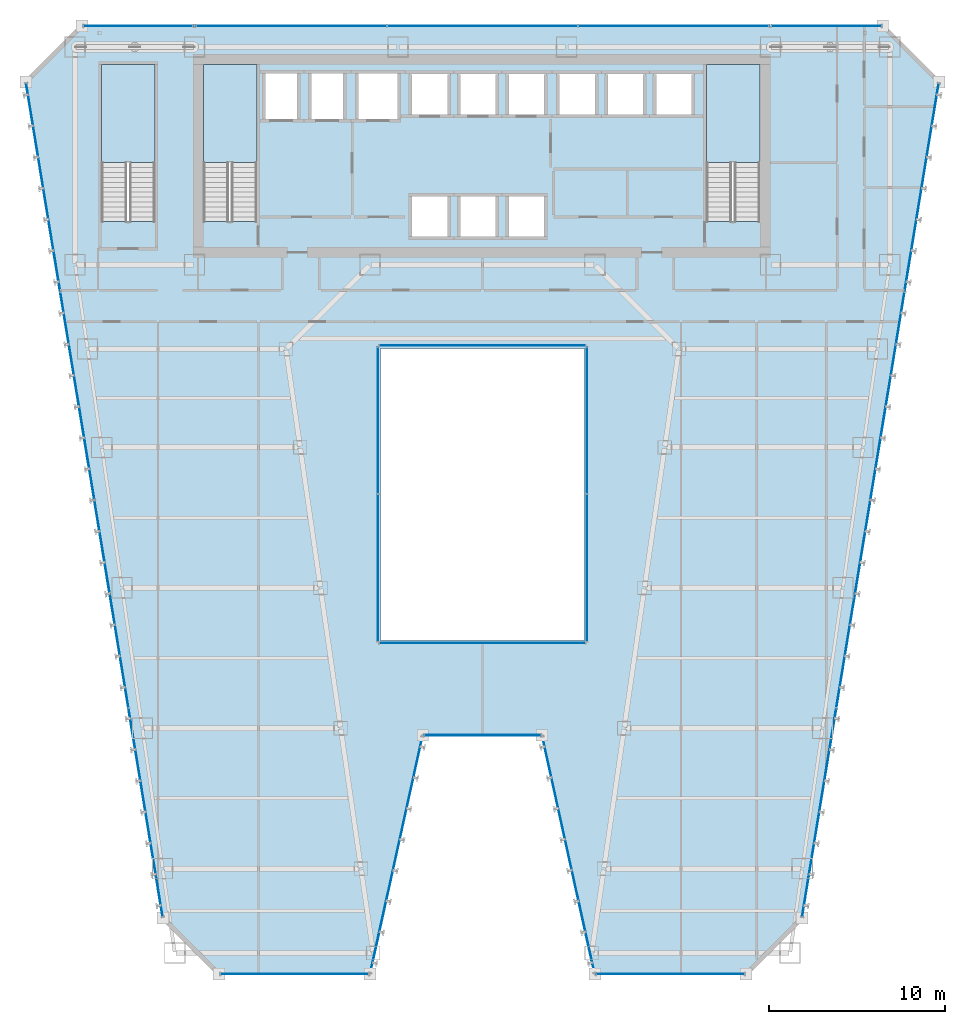
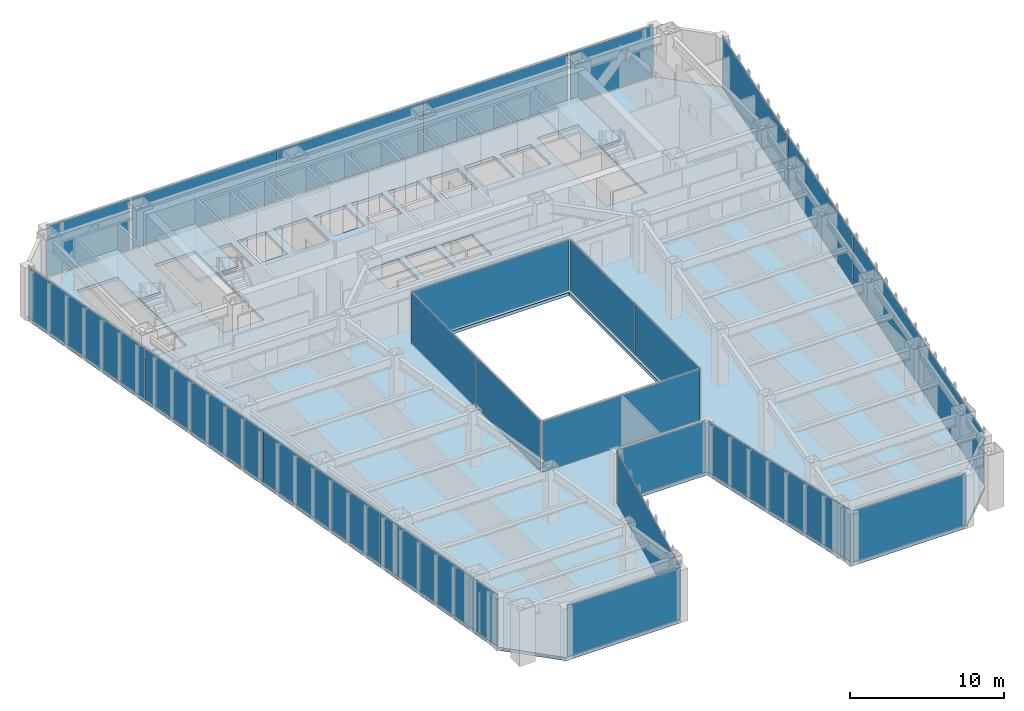
# One storey, part 34 of 47: 24 plates, 4 slabs, 17 elements without a shape of their own.
"""IFC4 building model written with IfcOpenShell, lengths in metres."""

from ifc_helpers import new_model, si_unit, direction, frame, origin, origin_2d, place, context, subcontext, project, spatial, polyline, rectangle, outline, extrude, material, layer, layer_set, type_object, element, aggregate, save


model = new_model("IFC4")

# Units and contexts
model_context = context("Model", 3, precision=1e-05, world=origin(), true_north=direction((0.0, 1.0)))
body_context = subcontext(model_context, "Body", "Model", "MODEL_VIEW")
ifc_project = project(units=[si_unit("LENGTHUNIT", "METRE"), si_unit("AREAUNIT", "SQUARE_METRE"), si_unit("VOLUMEUNIT", "CUBIC_METRE"), si_unit("PLANEANGLEUNIT", "RADIAN"), si_unit("MASSUNIT", "GRAM", prefix="KILO")], contexts=[model_context])

# Site, building, storey
site_placement = place(None, origin())
site = spatial("IfcSite", under=ifc_project, at=site_placement, CompositionType="ELEMENT")
building_placement = place(site_placement, origin())
building = spatial("IfcBuilding", under=site, at=building_placement, Name="Saevonmaru Cultural Tower", CompositionType="ELEMENT")
storey_placement = place(building_placement, frame((0.0, 0.0, 92.800048828125)))
storey = spatial("IfcBuildingStorey", under=building, at=storey_placement, Name="L19", CompositionType="ELEMENT", Elevation=92.800048828125)

# Curtain wall, plate
ifc_material_1 = material(Name="Satin Bronze Anodised Aluminium", Category="aluminium")
curtain_wall_type_1 = type_object("IfcCurtainWallType", Name="CW-ATR-GLZ", PredefinedType="NOTDEFINED", material=ifc_material_1)
curtain_wall_1_placement = place(storey_placement, origin())
curtain_wall_1 = element("IfcCurtainWall", 1, at=curtain_wall_1_placement, inside=storey, type_object=curtain_wall_type_1, Name="L19 Vertical Atrium Glazed Smoke Screen 1", PredefinedType="NOTDEFINED")
ifc_material_2 = material(Name="Fire-Rated Laminated Atrium Glass", Category="glass")
ifc_layer_1 = layer(ifc_material_2, 0.031982421875, Name="Fire-Rated Laminated Atrium Glass")
ifc_layer_set_1 = layer_set([ifc_layer_1], Name="Fire-Rated Laminated Atrium Glass")
plate_type_1 = type_object("IfcPlateType", Name="PN-GLZ-ATR-INT", PredefinedType="CURTAIN_PANEL", material=ifc_layer_set_1)
plate_1_placement = place(storey_placement, frame((30.0, 20.85009765625, 0.06689453125), z_axis=(0.0, 0.0, 1.0), x_axis=(1.0, 0.0, 0.0)))
plate_1 = element("IfcPlate", 2, at=plate_1_placement, type_object=plate_type_1, Name="CW-ATR-L19-1 panel 1.1", PredefinedType="CURTAIN_PANEL", context=body_context, shape_type="SweptSolid", body=[
    extrude(rectangle(XDim=11.7109375, YDim=0.031982421875, at=origin_2d()), origin(), (0.0, 0.0, 1.0), 4.01611328125),
])
aggregate(curtain_wall_1, [plate_1])

# Curtain wall, plates
curtain_wall_2_placement = place(storey_placement, origin())
curtain_wall_2 = element("IfcCurtainWall", 3, at=curtain_wall_2_placement, inside=storey, type_object=curtain_wall_type_1, Name="L19 Vertical Atrium Glazed Smoke Screen 2", PredefinedType="NOTDEFINED")
plate_2_placement = place(storey_placement, frame((35.949951171875, 25.114990234375, 0.06689453125), z_axis=(0.0, 0.0, 1.0), x_axis=(0.0, 1.0, 0.0)))
plate_2 = element("IfcPlate", 4, at=plate_2_placement, type_object=plate_type_1, Name="CW-ATR-L19-2 panel 1.1", PredefinedType="CURTAIN_PANEL", context=body_context, shape_type="SweptSolid", body=[
    extrude(rectangle(XDim=8.341064453125, YDim=0.031982421875, at=origin_2d()), origin(), (0.0, 0.0, 1.0), 4.01611328125),
])
plate_3_placement = place(storey_placement, frame((35.949951171875, 33.52490234375, 0.06689453125), z_axis=(0.0, 0.0, 1.0), x_axis=(0.0, 1.0, 0.0)))
plate_3 = element("IfcPlate", 5, at=plate_3_placement, type_object=plate_type_1, Name="CW-ATR-L19-2 panel 2.1", PredefinedType="CURTAIN_PANEL", context=body_context, shape_type="SweptSolid", body=[
    extrude(rectangle(XDim=8.341064453125, YDim=0.031982421875, at=origin_2d()), origin(), (0.0, 0.0, 1.0), 4.01611328125),
])
aggregate(curtain_wall_2, [plate_2, plate_3])

# Curtain wall, plate
curtain_wall_3_placement = place(storey_placement, origin())
curtain_wall_3 = element("IfcCurtainWall", 6, at=curtain_wall_3_placement, inside=storey, type_object=curtain_wall_type_1, Name="L19 Vertical Atrium Glazed Smoke Screen 3", PredefinedType="NOTDEFINED")
plate_4_placement = place(storey_placement, frame((30.0, 37.7900390625, 0.06689453125), z_axis=(0.0, 0.0, 1.0), x_axis=(-1.0, 0.0, 0.0)))
plate_4 = element("IfcPlate", 7, at=plate_4_placement, type_object=plate_type_1, Name="CW-ATR-L19-3 panel 1.1", PredefinedType="CURTAIN_PANEL", context=body_context, shape_type="SweptSolid", body=[
    extrude(rectangle(XDim=11.7109375, YDim=0.031982421875, at=origin_2d()), origin(), (0.0, 0.0, 1.0), 4.01611328125),
])
aggregate(curtain_wall_3, [plate_4])

# Curtain wall, plates
curtain_wall_4_placement = place(storey_placement, origin())
curtain_wall_4 = element("IfcCurtainWall", 8, at=curtain_wall_4_placement, inside=storey, type_object=curtain_wall_type_1, Name="L19 Vertical Atrium Glazed Smoke Screen 4", PredefinedType="NOTDEFINED")
plate_5_placement = place(storey_placement, frame((24.050048828125, 33.52490234375, 0.06689453125), z_axis=(0.0, 0.0, 1.0), x_axis=(0.0, -1.0, 0.0)))
plate_5 = element("IfcPlate", 9, at=plate_5_placement, type_object=plate_type_1, Name="CW-ATR-L19-4 panel 1.1", PredefinedType="CURTAIN_PANEL", context=body_context, shape_type="SweptSolid", body=[
    extrude(rectangle(XDim=8.341064453125, YDim=0.031982421875, at=origin_2d()), origin(), (0.0, 0.0, 1.0), 4.01611328125),
])
plate_6_placement = place(storey_placement, frame((24.050048828125, 25.114990234375, 0.06689453125), z_axis=(0.0, 0.0, 1.0), x_axis=(0.0, -1.0, 0.0)))
plate_6 = element("IfcPlate", 10, at=plate_6_placement, type_object=plate_type_1, Name="CW-ATR-L19-4 panel 2.1", PredefinedType="CURTAIN_PANEL", context=body_context, shape_type="SweptSolid", body=[
    extrude(rectangle(XDim=8.341064453125, YDim=0.031982421875, at=origin_2d()), origin(), (0.0, 0.0, 1.0), 4.01611328125),
])
aggregate(curtain_wall_4, [plate_5, plate_6])

# Curtain wall, plate
curtain_wall_type_2 = type_object("IfcCurtainWallType", Name="CW-TYP-A", PredefinedType="NOTDEFINED", material=ifc_material_1)
curtain_wall_5_placement = place(storey_placement, origin())
curtain_wall_5 = element("IfcCurtainWall", 11, at=curtain_wall_5_placement, inside=storey, type_object=curtain_wall_type_2, Name="L19 Unitised Curtain Wall E2", PredefinedType="NOTDEFINED")
ifc_material_3 = material(Name="Triple Silver Low-E Insulating Glass", Category="glass")
ifc_layer_2 = layer(ifc_material_3, 0.035888671875, Name="Triple Silver Low-E Insulating Glass")
ifc_layer_set_2 = layer_set([ifc_layer_2], Name="Triple Silver Low-E Insulating Glass")
plate_type_2 = type_object("IfcPlateType", Name="PN-GLZ-IGU", PredefinedType="CURTAIN_PANEL", material=ifc_layer_set_2)
plate_7_placement = place(storey_placement, frame((19.300048828125, 2.0, 0.06689453125), z_axis=(0.0, 0.0, 1.0), x_axis=(1.0, 0.0, 0.0)))
plate_7 = element("IfcPlate", 12, at=plate_7_placement, type_object=plate_type_2, Name="CW-TW-L19-E2 panel 1.1", PredefinedType="CURTAIN_PANEL", context=body_context, shape_type="SweptSolid", body=[
    extrude(rectangle(XDim=8.410888671875, YDim=0.035888671875, at=origin_2d()), origin(), (0.0, 0.0, 1.0), 4.01611328125),
])
aggregate(curtain_wall_5, [plate_7])

curtain_wall_6_placement = place(storey_placement, origin())
curtain_wall_6 = element("IfcCurtainWall", 13, at=curtain_wall_6_placement, inside=storey, type_object=curtain_wall_type_2, Name="L19 Unitised Curtain Wall E3", PredefinedType="NOTDEFINED")
plate_8_placement = place(storey_placement, frame((25.10009765625, 8.800048828125, 0.06689453125), z_axis=(0.0, 0.0, 1.0), x_axis=(0.215413319953, 0.976522965212, 0.0)))
plate_8 = element("IfcPlate", 14, at=plate_8_placement, type_object=plate_type_2, Name="CW-TW-L19-E3 panel 1.1", PredefinedType="CURTAIN_PANEL", context=body_context, shape_type="SweptSolid", body=[
    extrude(rectangle(XDim=13.738037109375, YDim=0.035888671875, at=origin_2d()), origin(), (0.0, 0.0, 1.0), 4.01611328125),
])
aggregate(curtain_wall_6, [plate_8])

curtain_wall_7_placement = place(storey_placement, origin())
curtain_wall_7 = element("IfcCurtainWall", 15, at=curtain_wall_7_placement, inside=storey, type_object=curtain_wall_type_2, Name="L19 Unitised Curtain Wall E4", PredefinedType="NOTDEFINED")
plate_9_placement = place(storey_placement, frame((30.0, 15.60009765625, 0.06689453125), z_axis=(0.0, 0.0, 1.0), x_axis=(1.0, 0.0, 0.0)))
plate_9 = element("IfcPlate", 16, at=plate_9_placement, type_object=plate_type_2, Name="CW-TW-L19-E4 panel 1.1", PredefinedType="CURTAIN_PANEL", context=body_context, shape_type="SweptSolid", body=[
    extrude(rectangle(XDim=6.611083984375, YDim=0.035888671875, at=origin_2d()), origin(), (0.0, 0.0, 1.0), 4.01611328125),
])
aggregate(curtain_wall_7, [plate_9])

curtain_wall_8_placement = place(storey_placement, origin())
curtain_wall_8 = element("IfcCurtainWall", 17, at=curtain_wall_8_placement, inside=storey, type_object=curtain_wall_type_2, Name="L19 Unitised Curtain Wall E5", PredefinedType="NOTDEFINED")
plate_10_placement = place(storey_placement, frame((34.89990234375, 8.800048828125, 0.06689453125), z_axis=(0.0, 0.0, 1.0), x_axis=(0.215413319953, -0.976522965212, 0.0)))
plate_10 = element("IfcPlate", 18, at=plate_10_placement, type_object=plate_type_2, Name="CW-TW-L19-E5 panel 1.1", PredefinedType="CURTAIN_PANEL", context=body_context, shape_type="SweptSolid", body=[
    extrude(rectangle(XDim=13.738037109375, YDim=0.035888671875, at=origin_2d()), origin(), (0.0, 0.0, 1.0), 4.01611328125),
])
aggregate(curtain_wall_8, [plate_10])

curtain_wall_9_placement = place(storey_placement, origin())
curtain_wall_9 = element("IfcCurtainWall", 19, at=curtain_wall_9_placement, inside=storey, type_object=curtain_wall_type_2, Name="L19 Unitised Curtain Wall E6", PredefinedType="NOTDEFINED")
plate_11_placement = place(storey_placement, frame((40.699951171875, 2.0, 0.06689453125), z_axis=(0.0, 0.0, 1.0), x_axis=(1.0, 0.0, 0.0)))
plate_11 = element("IfcPlate", 20, at=plate_11_placement, type_object=plate_type_2, Name="CW-TW-L19-E6 panel 1.1", PredefinedType="CURTAIN_PANEL", context=body_context, shape_type="SweptSolid", body=[
    extrude(rectangle(XDim=8.410888671875, YDim=0.035888671875, at=origin_2d()), origin(), (0.0, 0.0, 1.0), 4.01611328125),
])
aggregate(curtain_wall_9, [plate_11])

# Curtain wall, plates
curtain_wall_10_placement = place(storey_placement, origin())
curtain_wall_10 = element("IfcCurtainWall", 21, at=curtain_wall_10_placement, inside=storey, type_object=curtain_wall_type_2, Name="L19 Unitised Curtain Wall E8", PredefinedType="NOTDEFINED")
plate_12_placement = place(storey_placement, frame((49.182373046875, 11.1943359375, 0.06689453125), z_axis=(0.0, 0.0, 1.0), x_axis=(0.161708868641, 0.986838508472, 0.0)))
plate_12 = element("IfcPlate", 22, at=plate_12_placement, type_object=plate_type_2, Name="CW-TW-L19-E8 panel 1.1", PredefinedType="CURTAIN_PANEL", context=body_context, shape_type="SweptSolid", body=[
    extrude(rectangle(XDim=11.959716796875, YDim=0.035888671875, at=origin_2d()), origin(), (0.0, 0.0, 1.0), 4.01611328125),
])
plate_13_placement = place(storey_placement, frame((51.12744140625, 23.064697265625, 0.06689453125), z_axis=(0.0, 0.0, 1.0), x_axis=(0.161708868641, 0.986838508472, 0.0)))
plate_13 = element("IfcPlate", 23, at=plate_13_placement, type_object=plate_type_2, Name="CW-TW-L19-E8 panel 2.1", PredefinedType="CURTAIN_PANEL", context=body_context, shape_type="SweptSolid", body=[
    extrude(rectangle(XDim=11.959716796875, YDim=0.035888671875, at=origin_2d()), origin(), (0.0, 0.0, 1.0), 4.01611328125),
])
plate_14_placement = place(storey_placement, frame((53.072509765625, 34.935302734375, 0.06689453125), z_axis=(0.0, 0.0, 1.0), x_axis=(0.161708868641, 0.986838508472, 0.0)))
plate_14 = element("IfcPlate", 24, at=plate_14_placement, type_object=plate_type_2, Name="CW-TW-L19-E8 panel 3.1", PredefinedType="CURTAIN_PANEL", context=body_context, shape_type="SweptSolid", body=[
    extrude(rectangle(XDim=11.959716796875, YDim=0.035888671875, at=origin_2d()), origin(), (0.0, 0.0, 1.0), 4.01611328125),
])
plate_15_placement = place(storey_placement, frame((55.017822265625, 46.8056640625, 0.06689453125), z_axis=(0.0, 0.0, 1.0), x_axis=(0.161708868641, 0.986838508472, 0.0)))
plate_15 = element("IfcPlate", 25, at=plate_15_placement, type_object=plate_type_2, Name="CW-TW-L19-E8 panel 4.1", PredefinedType="CURTAIN_PANEL", context=body_context, shape_type="SweptSolid", body=[
    extrude(rectangle(XDim=11.959716796875, YDim=0.035888671875, at=origin_2d()), origin(), (0.0, 0.0, 1.0), 4.01611328125),
])
aggregate(curtain_wall_10, [plate_12, plate_13, plate_14, plate_15])

curtain_wall_11_placement = place(storey_placement, origin())
curtain_wall_11 = element("IfcCurtainWall", 26, at=curtain_wall_11_placement, inside=storey, type_object=curtain_wall_type_2, Name="L19 North Spine Unitised Curtain Wall E10B", PredefinedType="NOTDEFINED")
plate_16_placement = place(storey_placement, frame((40.893310546875, 56.0, 0.06689453125), z_axis=(0.0, 0.0, 1.0), x_axis=(-1.0, 0.0, 0.0)))
plate_16 = element("IfcPlate", 27, at=plate_16_placement, type_object=plate_type_2, Name="CW-TW-L19-E10B panel 1.1", PredefinedType="CURTAIN_PANEL", context=body_context, shape_type="SweptSolid", body=[
    extrude(rectangle(XDim=10.82421875, YDim=0.035888671875, at=origin_2d()), origin(), (0.0, 0.0, 1.0), 4.01611328125),
])
plate_17_placement = place(storey_placement, frame((30.0, 56.0, 0.06689453125), z_axis=(0.0, 0.0, 1.0), x_axis=(-1.0, 0.0, 0.0)))
plate_17 = element("IfcPlate", 28, at=plate_17_placement, type_object=plate_type_2, Name="CW-TW-L19-E10B panel 2.1", PredefinedType="CURTAIN_PANEL", context=body_context, shape_type="SweptSolid", body=[
    extrude(rectangle(XDim=10.82421875, YDim=0.035888671875, at=origin_2d()), origin(), (0.0, 0.0, 1.0), 4.01611328125),
])
plate_18_placement = place(storey_placement, frame((19.106689453125, 56.0, 0.06689453125), z_axis=(0.0, 0.0, 1.0), x_axis=(-1.0, 0.0, 0.0)))
plate_18 = element("IfcPlate", 29, at=plate_18_placement, type_object=plate_type_2, Name="CW-TW-L19-E10B panel 3.1", PredefinedType="CURTAIN_PANEL", context=body_context, shape_type="SweptSolid", body=[
    extrude(rectangle(XDim=10.82421875, YDim=0.035888671875, at=origin_2d()), origin(), (0.0, 0.0, 1.0), 4.01611328125),
])
aggregate(curtain_wall_11, [plate_16, plate_17, plate_18])

curtain_wall_12_placement = place(storey_placement, origin())
curtain_wall_12 = element("IfcCurtainWall", 30, at=curtain_wall_12_placement, inside=storey, type_object=curtain_wall_type_2, Name="L19 Unitised Curtain Wall E12", PredefinedType="NOTDEFINED")
plate_19_placement = place(storey_placement, frame((4.982177734375, 46.8056640625, 0.06689453125), z_axis=(0.0, 0.0, 1.0), x_axis=(0.161708868641, -0.986838508472, 0.0)))
plate_19 = element("IfcPlate", 31, at=plate_19_placement, type_object=plate_type_2, Name="CW-TW-L19-E12 panel 1.1", PredefinedType="CURTAIN_PANEL", context=body_context, shape_type="SweptSolid", body=[
    extrude(rectangle(XDim=11.959716796875, YDim=0.035888671875, at=origin_2d()), origin(), (0.0, 0.0, 1.0), 4.01611328125),
])
plate_20_placement = place(storey_placement, frame((6.927490234375, 34.935302734375, 0.06689453125), z_axis=(0.0, 0.0, 1.0), x_axis=(0.161708868641, -0.986838508472, 0.0)))
plate_20 = element("IfcPlate", 32, at=plate_20_placement, type_object=plate_type_2, Name="CW-TW-L19-E12 panel 2.1", PredefinedType="CURTAIN_PANEL", context=body_context, shape_type="SweptSolid", body=[
    extrude(rectangle(XDim=11.959716796875, YDim=0.035888671875, at=origin_2d()), origin(), (0.0, 0.0, 1.0), 4.01611328125),
])
plate_21_placement = place(storey_placement, frame((8.87255859375, 23.064697265625, 0.06689453125), z_axis=(0.0, 0.0, 1.0), x_axis=(0.161708868641, -0.986838508472, 0.0)))
plate_21 = element("IfcPlate", 33, at=plate_21_placement, type_object=plate_type_2, Name="CW-TW-L19-E12 panel 3.1", PredefinedType="CURTAIN_PANEL", context=body_context, shape_type="SweptSolid", body=[
    extrude(rectangle(XDim=11.959716796875, YDim=0.035888671875, at=origin_2d()), origin(), (0.0, 0.0, 1.0), 4.01611328125),
])
plate_22_placement = place(storey_placement, frame((10.817626953125, 11.1943359375, 0.06689453125), z_axis=(0.0, 0.0, 1.0), x_axis=(0.161708868641, -0.986838508472, 0.0)))
plate_22 = element("IfcPlate", 34, at=plate_22_placement, type_object=plate_type_2, Name="CW-TW-L19-E12 panel 4.1", PredefinedType="CURTAIN_PANEL", context=body_context, shape_type="SweptSolid", body=[
    extrude(rectangle(XDim=11.959716796875, YDim=0.035888671875, at=origin_2d()), origin(), (0.0, 0.0, 1.0), 4.01611328125),
])
aggregate(curtain_wall_12, [plate_19, plate_20, plate_21, plate_22])

# Curtain wall, plate
curtain_wall_13_placement = place(storey_placement, origin())
curtain_wall_13 = element("IfcCurtainWall", 35, at=curtain_wall_13_placement, inside=storey, type_object=curtain_wall_type_2, Name="L19 East Braced Bay Spandrel Curtain Wall E10A", PredefinedType="NOTDEFINED")
ifc_material_4 = material(Name="Insulated Satin Bronze Aluminium Spandrel Panel", Category="aluminium")
ifc_layer_3 = layer(ifc_material_4, 0.0400390625, Name="Insulated Satin Bronze Aluminium Spandrel Panel")
ifc_layer_set_3 = layer_set([ifc_layer_3], Name="Insulated Satin Bronze Aluminium Spandrel Panel")
plate_type_3 = type_object("IfcPlateType", Name="PN-SPANDREL-BRONZE", PredefinedType="CURTAIN_PANEL", material=ifc_layer_set_3)
plate_23_placement = place(storey_placement, frame((49.60009765625, 56.0, 0.06689453125), z_axis=(0.0, 0.0, 1.0), x_axis=(-1.0, 0.0, 0.0)))
plate_23 = element("IfcPlate", 36, at=plate_23_placement, type_object=plate_type_3, Name="CW-TW-L19-E10A panel 1.1", PredefinedType="CURTAIN_PANEL", context=body_context, shape_type="SweptSolid", body=[
    extrude(rectangle(XDim=6.2109375, YDim=0.035888671875, at=origin_2d()), origin(), (0.0, 0.0, 1.0), 4.01611328125),
])
aggregate(curtain_wall_13, [plate_23])

curtain_wall_14_placement = place(storey_placement, origin())
curtain_wall_14 = element("IfcCurtainWall", 37, at=curtain_wall_14_placement, inside=storey, type_object=curtain_wall_type_2, Name="L19 West Braced Bay Spandrel Curtain Wall E10C", PredefinedType="NOTDEFINED")
plate_24_placement = place(storey_placement, frame((10.39990234375, 56.0, 0.06689453125), z_axis=(0.0, 0.0, 1.0), x_axis=(-1.0, 0.0, 0.0)))
plate_24 = element("IfcPlate", 38, at=plate_24_placement, type_object=plate_type_3, Name="CW-TW-L19-E10C panel 1.1", PredefinedType="CURTAIN_PANEL", context=body_context, shape_type="SweptSolid", body=[
    extrude(rectangle(XDim=6.2109375, YDim=0.035888671875, at=origin_2d()), origin(), (0.0, 0.0, 1.0), 4.01611328125),
])
aggregate(curtain_wall_14, [plate_24])

# Slab
ifc_material_5 = material(Name="Concrete C40/50", Category="concrete")
ifc_layer_4 = layer(ifc_material_5, 0.25, Name="Concrete C40/50")
ifc_layer_set_4 = layer_set([ifc_layer_4], Name="Concrete C40/50")
slab_type_1 = type_object("IfcSlabType", Name="SL-FLR-250", PredefinedType="FLOOR", material=ifc_layer_set_4)
slab_1_placement = place(storey_placement, frame((0.0, 0.0, -0.25)))
element("IfcSlab", 39, at=slab_1_placement, inside=storey, type_object=slab_type_1, Name="L19 Tower Structural Floor Slab", PredefinedType="FLOOR", context=body_context, shape_type="SweptSolid", body=[
    extrude(outline(polyline([(11.800048828125, 5.199951171875), (15.0, 2.0), (23.60009765625, 2.0), (26.60009765625, 15.60009765625), (33.39990234375, 15.60009765625), (36.39990234375, 2.0), (45.0, 2.0), (48.199951171875, 5.199951171875), (56.0, 52.800048828125), (52.800048828125, 56.0), (7.199951171875, 56.0), (4.0, 52.800048828125), (11.800048828125, 5.199951171875)]), holes=[polyline([(45.800048828125, 44.875), (42.75, 44.875), (42.75, 53.800048828125), (45.800048828125, 53.800048828125), (45.800048828125, 44.875)]), polyline([(39.75, 50.800048828125), (39.75, 53.39990234375), (42.050048828125, 53.39990234375), (42.050048828125, 50.800048828125), (39.75, 50.800048828125)]), polyline([(37.0, 50.800048828125), (37.0, 53.39990234375), (39.300048828125, 53.39990234375), (39.300048828125, 50.800048828125), (37.0, 50.800048828125)]), polyline([(34.25, 50.800048828125), (34.25, 53.39990234375), (36.550048828125, 53.39990234375), (36.550048828125, 50.800048828125), (34.25, 50.800048828125)]), polyline([(24.199951171875, 21.0), (24.199951171875, 37.639892578125), (35.800048828125, 37.639892578125), (35.800048828125, 21.0), (24.199951171875, 21.0)]), polyline([(31.35009765625, 50.800048828125), (31.35009765625, 53.39990234375), (33.64990234375, 53.39990234375), (33.64990234375, 50.800048828125), (31.35009765625, 50.800048828125)]), polyline([(31.35009765625, 43.85009765625), (31.35009765625, 46.449951171875), (33.64990234375, 46.449951171875), (33.64990234375, 43.85009765625), (31.35009765625, 43.85009765625)]), polyline([(28.60009765625, 43.85009765625), (28.60009765625, 46.449951171875), (30.89990234375, 46.449951171875), (30.89990234375, 43.85009765625), (28.60009765625, 43.85009765625)]), polyline([(28.60009765625, 50.800048828125), (28.60009765625, 53.39990234375), (30.89990234375, 53.39990234375), (30.89990234375, 50.800048828125), (28.60009765625, 50.800048828125)]), polyline([(25.85009765625, 50.800048828125), (25.85009765625, 53.39990234375), (28.14990234375, 53.39990234375), (28.14990234375, 50.800048828125), (25.85009765625, 50.800048828125)]), polyline([(25.85009765625, 43.85009765625), (25.85009765625, 46.449951171875), (28.14990234375, 46.449951171875), (28.14990234375, 43.85009765625), (25.85009765625, 43.85009765625)]), polyline([(22.800048828125, 50.550048828125), (22.800048828125, 53.449951171875), (25.300048828125, 53.449951171875), (25.300048828125, 50.550048828125), (22.800048828125, 50.550048828125)]), polyline([(20.10009765625, 50.550048828125), (20.10009765625, 53.449951171875), (22.199951171875, 53.449951171875), (22.199951171875, 50.550048828125), (20.10009765625, 50.550048828125)]), polyline([(17.5, 50.550048828125), (17.5, 53.449951171875), (19.60009765625, 53.449951171875), (19.60009765625, 50.550048828125), (17.5, 50.550048828125)]), polyline([(17.14990234375, 44.875), (14.10009765625, 44.875), (14.10009765625, 53.800048828125), (17.14990234375, 53.800048828125), (17.14990234375, 44.875)]), polyline([(11.35009765625, 44.875), (8.300048828125, 44.875), (8.300048828125, 53.800048828125), (11.35009765625, 53.800048828125), (11.35009765625, 44.875)])]), origin(), (0.0, 0.0, 1.0), 0.25),
])

# Stair, slab
stair_type = type_object("IfcStairType", Name="STR-DOGLEG-RC", PredefinedType="HALF_TURN_STAIR", material=ifc_material_5)
stair_1_placement = place(storey_placement, origin())
stair_1 = element("IfcStair", 40, at=stair_1_placement, inside=storey, type_object=stair_type, Name="L19 Protected exit stair ST-1", PredefinedType="HALF_TURN_STAIR")
ifc_layer_5 = layer(ifc_material_5, 0.199951171875, Name="Concrete C40/50")
ifc_layer_set_5 = layer_set([ifc_layer_5], Name="Concrete C40/50")
slab_type_2 = type_object("IfcSlabType", Name="SL-STAIR-LANDING", PredefinedType="LANDING", material=ifc_layer_set_5)
slab_2_placement = place(storey_placement, frame((0.0, 0.0, 2.0)))
slab_2 = element("IfcSlab", 41, at=slab_2_placement, type_object=slab_type_2, Name="ST-1-L19 landing 1", PredefinedType="LANDING", context=body_context, shape_type="SweptSolid", body=[
    extrude(outline(polyline([(17.14990234375, 48.2099609375), (17.14990234375, 53.800048828125), (14.10009765625, 53.800048828125), (14.10009765625, 48.2099609375), (17.14990234375, 48.2099609375)])), origin(), (0.0, 0.0, 1.0), 0.199951171875),
])
aggregate(stair_1, [slab_2])

stair_2_placement = place(storey_placement, origin())
stair_2 = element("IfcStair", 42, at=stair_2_placement, inside=storey, type_object=stair_type, Name="L19 Protected exit stair ST-2", PredefinedType="HALF_TURN_STAIR")
slab_3_placement = place(storey_placement, frame((0.0, 0.0, 2.0)))
slab_3 = element("IfcSlab", 43, at=slab_3_placement, type_object=slab_type_2, Name="ST-2-L19 landing 1", PredefinedType="LANDING", context=body_context, shape_type="SweptSolid", body=[
    extrude(outline(polyline([(45.800048828125, 48.2099609375), (45.800048828125, 53.800048828125), (42.75, 53.800048828125), (42.75, 48.2099609375), (45.800048828125, 48.2099609375)])), origin(), (0.0, 0.0, 1.0), 0.199951171875),
])
aggregate(stair_2, [slab_3])

stair_3_placement = place(storey_placement, origin())
stair_3 = element("IfcStair", 44, at=stair_3_placement, inside=storey, type_object=stair_type, Name="L19 Protected exit stair ST-3", PredefinedType="HALF_TURN_STAIR")
slab_4_placement = place(storey_placement, frame((0.0, 0.0, 2.0)))
slab_4 = element("IfcSlab", 45, at=slab_4_placement, type_object=slab_type_2, Name="ST-3-L19 landing 1", PredefinedType="LANDING", context=body_context, shape_type="SweptSolid", body=[
    extrude(outline(polyline([(11.35009765625, 48.2099609375), (11.35009765625, 53.800048828125), (8.300048828125, 53.800048828125), (8.300048828125, 48.2099609375), (11.35009765625, 48.2099609375)])), origin(), (0.0, 0.0, 1.0), 0.199951171875),
])
aggregate(stair_3, [slab_4])

save(model, "model.ifc")
